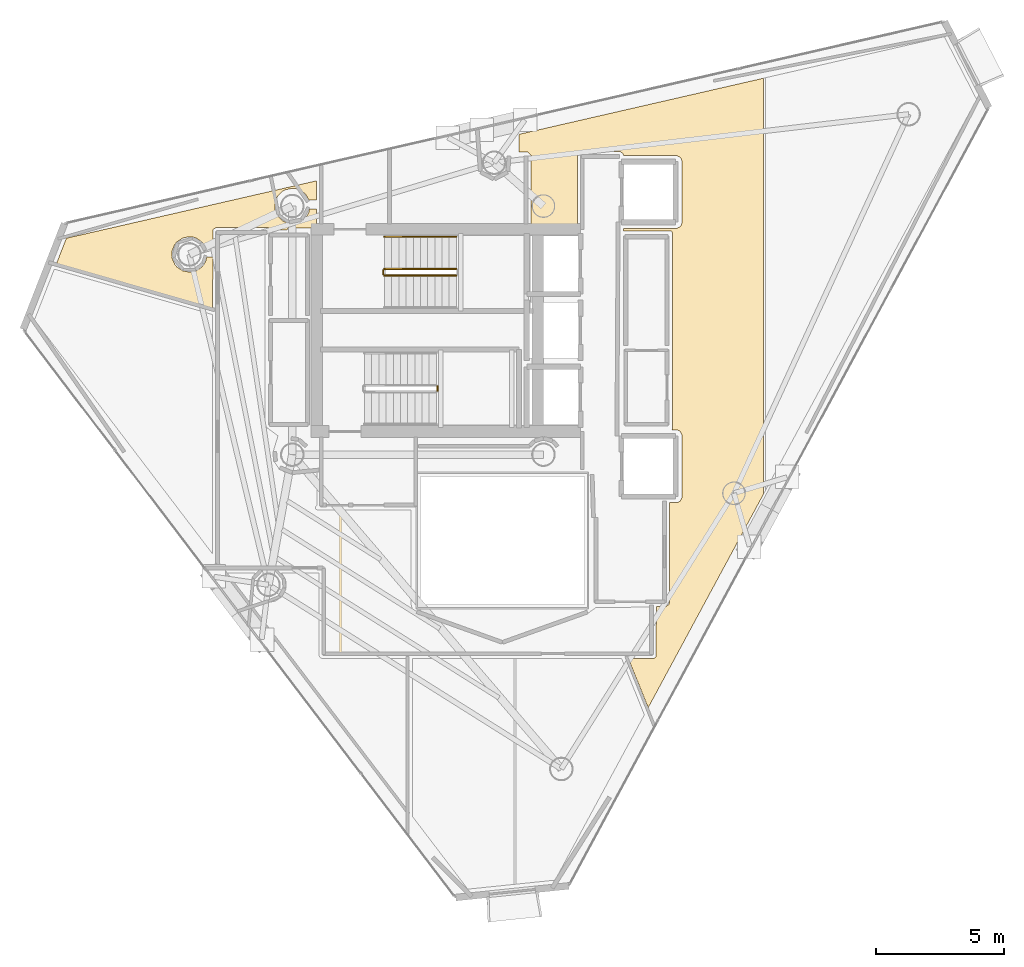
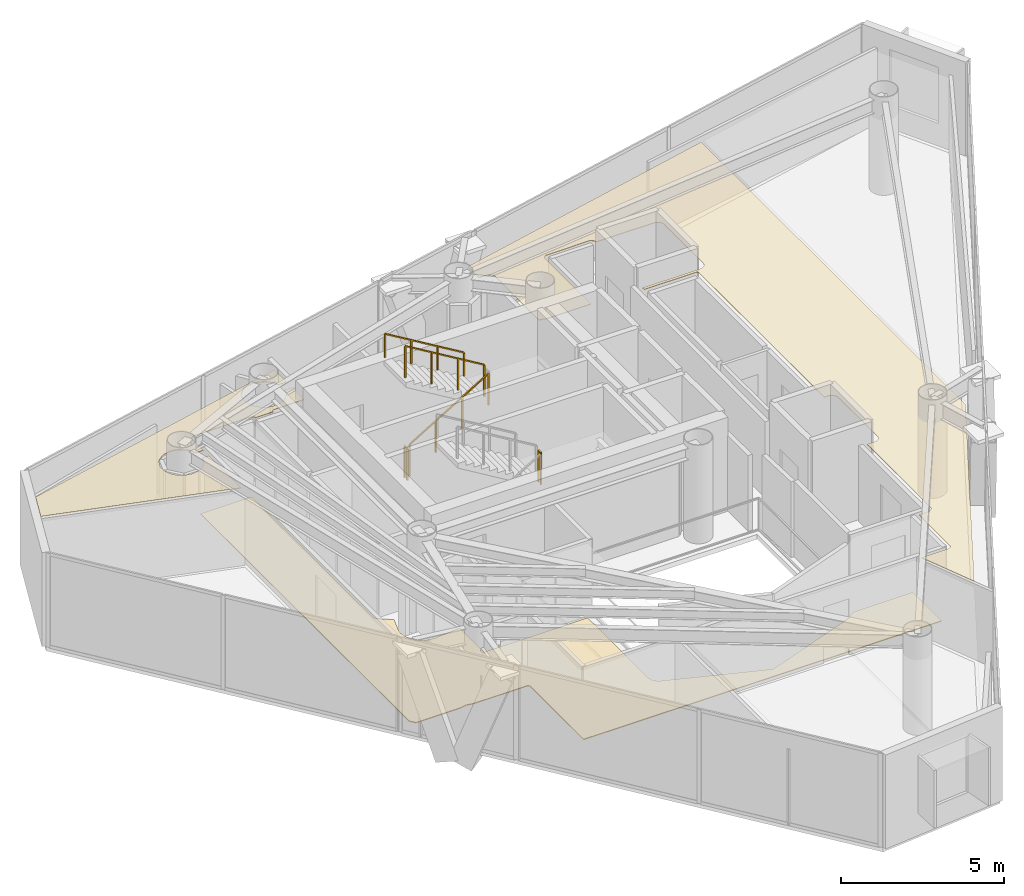
# One storey, part 23 of 24: 5 railings, 3 coverings.
"""IFC4 building model written with IfcOpenShell, lengths in metres."""

import ifcopenshell
import ifcopenshell.guid

model = None  # the IFC model being written
_history = None  # IfcOwnerHistory: only IFC2X3 demands one
_inside = {}  # id of a spatial element -> (the spatial element, [elements in it])
_under = {}  # id of a project, library or spatial element -> (it, [spatial elements below it])
_declared = {}  # id of a project -> (the project, [libraries it declares])
_typed = {}  # id of a type object -> (the type object, [elements of that type])
_made_of = {}  # id of a material, layer set ... -> (it, [elements and type objects made of it])


def new_model(schema):
    """Start an empty IFC model of exactly this schema.

    Asked for "IFC4X3", IfcOpenShell would pick the latest addendum, in which some entities
    have other attributes; the version numbers below select the first issue.
    IFC2X3 requires an IfcOwnerHistory on every rooted entity: one is made here for all.
    """
    global model, _history
    if schema == "IFC4X3":
        model = ifcopenshell.file(schema_version=(4, 3, 0, 0))
    else:
        model = ifcopenshell.file(schema=schema)
    _inside.clear()
    _under.clear()
    _declared.clear()
    _typed.clear()
    _made_of.clear()
    _history = None
    if model.schema == "IFC2X3":
        org = make("IfcOrganization", Name="unknown")
        user = make(
            "IfcPersonAndOrganization",
            ThePerson=make("IfcPerson", FamilyName="unknown"),
            TheOrganization=org,
        )
        app = make(
            "IfcApplication",
            ApplicationDeveloper=org,
            Version="unknown",
            ApplicationFullName="unknown",
            ApplicationIdentifier="unknown",
        )
        _history = make(
            "IfcOwnerHistory",
            OwningUser=user,
            OwningApplication=app,
            ChangeAction="ADDED",
            CreationDate=0,
        )
    return model


def make(cls, **values):
    """One entity of the class cls with the attributes given. An attribute that is None is left unset."""
    return model.create_entity(
        cls, **{name: value for name, value in values.items() if value is not None}
    )


def rooted(cls, **values):
    """An entity with a GlobalId (a new one), such as an element, a storey or a relation."""
    return make(cls, GlobalId=ifcopenshell.guid.new(), OwnerHistory=_history, **values)


def si_unit(unit_type, name, prefix=None):
    """IfcSIUnit, for example si_unit("LENGTHUNIT", "METRE", prefix="MILLI")."""
    return make("IfcSIUnit", UnitType=unit_type, Prefix=prefix, Name=name)


def assignment(units):
    """IfcUnitAssignment: the units of a project."""
    return None if units is None else make("IfcUnitAssignment", Units=units)


def point(xyz):
    """IfcCartesianPoint."""
    return None if xyz is None else make("IfcCartesianPoint", Coordinates=xyz)


def direction(xyz):
    """IfcDirection."""
    return None if xyz is None else make("IfcDirection", DirectionRatios=xyz)


def frame(location, z_axis=None, x_axis=None):
    """IfcAxis2Placement3D, a coordinate frame: its origin and axes. An axis left out is left unset."""
    return make(
        "IfcAxis2Placement3D",
        Location=point(location),
        Axis=direction(z_axis),
        RefDirection=direction(x_axis),
    )


def frame_2d(location, x_axis=None):
    """IfcAxis2Placement2D, a coordinate frame in the plane: its origin and x axis."""
    return make(
        "IfcAxis2Placement2D", Location=point(location), RefDirection=direction(x_axis)
    )


def origin():
    """The frame at (0, 0, 0) with its axes left unset."""
    return frame((0.0, 0.0, 0.0))


def origin_2d():
    """The frame at (0, 0) in the plane with its x axis left unset."""
    return frame_2d((0.0, 0.0))


def place(relative_to, where):
    """IfcLocalPlacement: puts the frame where relative to a parent placement (None: the world)."""
    return make(
        "IfcLocalPlacement", PlacementRelTo=relative_to, RelativePlacement=where
    )


def context(
    kind, dimensions, precision=None, world=None, true_north=None, identifier=None
):
    """IfcGeometricRepresentationContext, for example the 3D "Model" context."""
    return make(
        "IfcGeometricRepresentationContext",
        ContextIdentifier=identifier,
        ContextType=kind,
        CoordinateSpaceDimension=dimensions,
        Precision=precision,
        WorldCoordinateSystem=world,
        TrueNorth=true_north,
    )


def subcontext(parent, identifier, kind, view, scale=None):
    """IfcGeometricRepresentationSubContext, for example "Body" below "Model"."""
    return make(
        "IfcGeometricRepresentationSubContext",
        ContextIdentifier=identifier,
        ContextType=kind,
        ParentContext=parent,
        TargetScale=scale,
        TargetView=view,
    )


def project(units=None, contexts=None):
    """IfcProject with its units and contexts."""
    return rooted(
        "IfcProject",
        Name="project",
        RepresentationContexts=contexts,
        UnitsInContext=assignment(units),
    )


def spatial(cls, under=None, at=None, **own):
    """A site, building, storey or space (cls), placed at a placement, below another one or the project."""
    s = rooted(cls, ObjectPlacement=at, **own)
    if under is not None:
        _under.setdefault(under.id(), (under, []))[1].append(s)
    return s


def polyline(points):
    """IfcPolyline through the points."""
    return make("IfcPolyline", Points=[point(p) for p in points])


def profile(cls, at=None, kind="AREA", **sizes):
    """A parametric profile (cls). Its sizes go by their IFC names, for example OverallWidth=200.0."""
    return make(cls, ProfileType=kind, Position=at, **sizes)


def rectangle(**sizes):
    """IfcRectangleProfileDef."""
    return profile("IfcRectangleProfileDef", **sizes)


def outline(outer, holes=None, kind="AREA"):
    """IfcArbitraryClosedProfileDef: a profile drawn as a closed curve; with holes, ...WithVoids."""
    if holes is None:
        return make("IfcArbitraryClosedProfileDef", ProfileType=kind, OuterCurve=outer)
    return make(
        "IfcArbitraryProfileDefWithVoids",
        ProfileType=kind,
        OuterCurve=outer,
        InnerCurves=holes,
    )


def extrude(swept, where, along, depth):
    """IfcExtrudedAreaSolid: the profile swept, set in the frame where, extruded along a direction by depth."""
    return make(
        "IfcExtrudedAreaSolid",
        SweptArea=swept,
        Position=where,
        ExtrudedDirection=direction(along),
        Depth=depth,
    )


def shape(context_of_items, identifier, shape_type, items):
    """IfcShapeRepresentation: the items that make up one representation, for example the "Body"."""
    return make(
        "IfcShapeRepresentation",
        ContextOfItems=context_of_items,
        RepresentationIdentifier=identifier,
        RepresentationType=shape_type,
        Items=items,
    )


def material(Name=None, Category=None):
    """IfcMaterial."""
    return make("IfcMaterial", Name=Name, Category=Category)


def layer(
    of_material, thickness, ventilated=None, Name=None, Category=None, Priority=None
):
    """IfcMaterialLayer: one layer of a wall or slab, of a material (None: an air gap)."""
    return make(
        "IfcMaterialLayer",
        Material=of_material,
        LayerThickness=thickness,
        IsVentilated=ventilated,
        Name=Name,
        Category=Category,
        Priority=Priority,
    )


def layer_set(layers, Name=None):
    """IfcMaterialLayerSet."""
    return make("IfcMaterialLayerSet", MaterialLayers=layers, LayerSetName=Name)


def made_of(thing, what):
    """Note that an element or type object is made of a material, layer set ...; save() writes the relation."""
    if what is not None:
        _made_of.setdefault(what.id(), (what, []))[1].append(thing)
    return thing


def type_object(cls, material=None, **own):
    """A type object (cls), such as IfcWallType, which elements share."""
    return made_of(rooted(cls, **own), material)


def element(
    cls,
    number,
    at=None,
    inside=None,
    cuts=None,
    type_object=None,
    material=None,
    context=None,
    identifier="Body",
    shape_type=None,
    held_by="IfcProductDefinitionShape",
    body=None,
    shapes=None,
    **own,
):
    """One element of the class cls, such as IfcWall. Its Tag is "e" and its number.

    at: its placement. inside: the storey or other place that contains it. cuts: it is an
    opening in that element (IfcRelVoidsElement). A single representation is given by context,
    identifier, shape_type and body (its items); several are given by shapes. held_by: the class
    of the entity that holds the representations. save() writes the other relations.
    """
    e = rooted(cls, Tag="e%d" % number, ObjectPlacement=at, **own)
    if body is not None:
        shapes = [shape(context, identifier, shape_type, body)]
    if shapes is not None:
        e.Representation = make(held_by, Representations=shapes)
    if inside is not None:
        _inside.setdefault(inside.id(), (inside, []))[1].append(e)
    if cuts is not None:
        rooted(
            "IfcRelVoidsElement", RelatingBuildingElement=cuts, RelatedOpeningElement=e
        )
    if type_object is not None:
        _typed.setdefault(type_object.id(), (type_object, []))[1].append(e)
    return made_of(e, material)


def aggregate(whole, parts):
    """IfcRelAggregates: a whole, such as a stair, and the parts it consists of."""
    return rooted("IfcRelAggregates", RelatingObject=whole, RelatedObjects=parts)


def save(model, path):
    """Write the relations noted so far, then the file.

    IfcRelAggregates (storeys below a building ...), IfcRelContainedInSpatialStructure (elements
    in a storey), IfcRelDefinesByType, IfcRelAssociatesMaterial and IfcRelDeclares: one each for
    every whole, place, type object, material and project.
    """
    for whole, parts in _under.values():
        aggregate(whole, parts)
    for where, things in _inside.values():
        rooted(
            "IfcRelContainedInSpatialStructure",
            RelatedElements=things,
            RelatingStructure=where,
        )
    for kind, things in _typed.values():
        rooted("IfcRelDefinesByType", RelatedObjects=things, RelatingType=kind)
    for what, things in _made_of.values():
        rooted("IfcRelAssociatesMaterial", RelatedObjects=things, RelatingMaterial=what)
    for by, libraries in _declared.values():
        rooted("IfcRelDeclares", RelatingContext=by, RelatedDefinitions=libraries)
    model.write(path)


model = new_model("IFC4")

# Units and contexts
model_context = context("Model", 3, precision=1e-05, world=origin(), true_north=direction((0.0, 1.0)))
body_context = subcontext(model_context, "Body", "Model", "MODEL_VIEW")
ifc_project = project(units=[si_unit("LENGTHUNIT", "METRE"), si_unit("AREAUNIT", "SQUARE_METRE"), si_unit("VOLUMEUNIT", "CUBIC_METRE"), si_unit("PLANEANGLEUNIT", "RADIAN"), si_unit("MASSUNIT", "GRAM", prefix="KILO")], contexts=[model_context])

# Site, building, storey
site_placement = place(None, origin())
site = spatial("IfcSite", under=ifc_project, at=site_placement, CompositionType="ELEMENT")
building_placement = place(site_placement, origin())
building = spatial("IfcBuilding", under=site, at=building_placement, Name="Qianvela Tower", CompositionType="ELEMENT")
storey_placement = place(building_placement, frame((0.0, 0.0, 306.5)))
storey = spatial("IfcBuildingStorey", under=building, at=storey_placement, Name="L79", CompositionType="ELEMENT", Elevation=306.5)

# Coverings
ifc_material_1 = material(Name="Perforated Mineral Acoustic Ceiling Tile")
ifc_layer_1 = layer(ifc_material_1, 0.02490234375)
ifc_layer_set_1 = layer_set([ifc_layer_1], Name="Perforated Mineral Acoustic Ceiling Tile")
covering_type_1 = type_object("IfcCoveringType", Name="COV-CEIL-ACOUSTIC-25", PredefinedType="CEILING", material=ifc_layer_set_1)
covering_1_placement = place(storey_placement, frame((0.0, 0.0, 2.81494140625)))
element("IfcCovering", 1, at=covering_1_placement, inside=storey, type_object=covering_type_1, Name="L79 Acoustic Ceiling Bay 1 Tutorial Breakout Seminar L79-02", PredefinedType="CEILING", context=body_context, shape_type="SweptSolid", body=[
    extrude(outline(polyline([(43.423828125, 24.8193359375), (43.426513671875, 24.826904296875), (43.428466796875, 24.83447265625), (43.4296875, 24.84228515625), (43.429931640625, 24.85009765625), (43.429931640625, 32.5), (43.4296875, 32.5078125), (43.428466796875, 32.515625), (43.426513671875, 32.523193359375), (43.423828125, 32.530517578125), (43.420654296875, 32.53759765625), (43.41650390625, 32.54443359375), (43.411865234375, 32.55078125), (43.406494140625, 32.556640625), (43.40087890625, 32.561767578125), (43.394287109375, 32.56640625), (43.3876953125, 32.570556640625), (43.380615234375, 32.573974609375), (43.373291015625, 32.57666015625), (43.365478515625, 32.57861328125), (43.35791015625, 32.57958984375), (43.35009765625, 32.580078125), (41.52001953125, 32.580078125), (41.52001953125, 32.679931640625), (43.580078125, 32.679931640625), (43.587158203125, 32.680419921875), (43.593994140625, 32.68115234375), (43.60107421875, 32.682861328125), (43.607666015625, 32.684814453125), (43.6142578125, 32.687744140625), (43.722412109375, 32.739013671875), (43.729248046875, 32.74267578125), (43.73583984375, 32.746826171875), (43.741943359375, 32.751953125), (43.74755859375, 32.757568359375), (43.75244140625, 32.763427734375), (43.7568359375, 32.77001953125), (43.760498046875, 32.777099609375), (43.763427734375, 32.7841796875), (43.79541015625, 32.873046875), (43.7978515625, 32.8818359375), (43.799560546875, 32.890869140625), (43.800048828125, 32.89990234375), (43.800048828125, 35.300048828125), (43.799560546875, 35.307861328125), (43.798583984375, 35.315673828125), (43.796630859375, 35.3232421875), (43.77294921875, 35.40087890625), (43.770263671875, 35.408447265625), (43.76708984375, 35.41552734375), (43.762939453125, 35.422119140625), (43.75830078125, 35.428466796875), (43.7529296875, 35.434326171875), (43.747314453125, 35.439697265625), (43.740966796875, 35.4443359375), (43.734130859375, 35.4482421875), (43.61767578125, 35.510498046875), (43.610595703125, 35.513916015625), (43.603271484375, 35.5166015625), (43.595703125, 35.5185546875), (43.587890625, 35.51953125), (43.580078125, 35.52001953125), (41.515625, 35.52001953125), (41.513916015625, 35.554931640625), (41.512939453125, 35.562744140625), (41.511474609375, 35.5703125), (41.509033203125, 35.577880859375), (41.506103515625, 35.585205078125), (41.50244140625, 35.591796875), (41.498046875, 35.598388671875), (41.4931640625, 35.6044921875), (41.487548828125, 35.60986328125), (41.481689453125, 35.614990234375), (41.41552734375, 35.663818359375), (41.409423828125, 35.66796875), (41.40283203125, 35.67138671875), (41.396240234375, 35.67431640625), (41.38916015625, 35.6767578125), (41.382080078125, 35.67822265625), (41.374755859375, 35.67919921875), (41.367431640625, 35.6796875), (39.841796875, 35.670654296875), (39.83349609375, 35.670166015625), (39.825439453125, 35.668701171875), (39.817626953125, 35.666748046875), (39.81005859375, 35.663818359375), (39.802490234375, 35.659912109375), (39.795654296875, 35.655517578125), (39.789306640625, 35.650390625), (39.783447265625, 35.644775390625), (39.7783203125, 35.638427734375), (39.773681640625, 35.631591796875), (39.7314453125, 35.56103515625), (39.727294921875, 35.553466796875), (39.72412109375, 35.54541015625), (39.721923828125, 35.537109375), (39.720458984375, 35.528564453125), (39.719970703125, 35.52001953125), (39.719970703125, 32.719970703125), (38.129150390625, 32.719970703125), (38.068115234375, 32.756103515625), (38.060791015625, 32.760009765625), (38.052978515625, 32.76318359375), (38.044921875, 32.765380859375), (38.03662109375, 32.766845703125), (38.0283203125, 32.767333984375), (37.907470703125, 32.768798828125), (37.908447265625, 35.515625), (37.908203125, 35.52294921875), (37.906982421875, 35.5302734375), (37.905517578125, 35.53759765625), (37.903076171875, 35.544677734375), (37.89990234375, 35.551513671875), (37.896484375, 35.557861328125), (37.89208984375, 35.56396484375), (37.887451171875, 35.569580078125), (37.882080078125, 35.574951171875), (37.8115234375, 35.638916015625), (37.80517578125, 35.644287109375), (37.798095703125, 35.648681640625), (37.79052734375, 35.652587890625), (37.78271484375, 35.65576171875), (37.774658203125, 35.65771484375), (37.766357421875, 35.6591796875), (37.7578125, 35.65966796875), (37.44189453125, 35.659912109375), (37.44189453125, 36.3486328125), (46.988037109375, 38.539794921875), (46.988037109375, 22.315185546875), (42.48779296875, 13.980712890625), (41.71630859375, 15.889892578125), (42.64990234375, 15.889892578125), (42.65869140625, 15.890380859375), (42.66748046875, 15.891845703125), (42.676025390625, 15.894287109375), (42.68408203125, 15.897705078125), (42.74609375, 15.927001953125), (42.753173828125, 15.930908203125), (42.760009765625, 15.935302734375), (42.76611328125, 15.940673828125), (42.77197265625, 15.9462890625), (42.777099609375, 15.952880859375), (42.781494140625, 15.959716796875), (42.784912109375, 15.967041015625), (42.787841796875, 15.974609375), (42.7900390625, 15.982421875), (42.79150390625, 15.990478515625), (42.791748046875, 15.99853515625), (42.806640625, 17.920166015625), (43.157958984375, 17.92041015625), (43.166259765625, 17.9208984375), (43.174560546875, 17.922119140625), (43.1826171875, 17.92431640625), (43.1904296875, 17.927490234375), (43.197998046875, 17.93115234375), (43.205078125, 17.935791015625), (43.211669921875, 17.941162109375), (43.2822265625, 18.005126953125), (43.2880859375, 18.010986328125), (43.293212890625, 18.017578125), (43.2978515625, 18.0244140625), (43.301513671875, 18.031982421875), (43.3046875, 18.039794921875), (43.306640625, 18.0478515625), (43.30810546875, 18.055908203125), (43.30859375, 18.064453125), (43.309326171875, 21.980712890625), (43.60791015625, 21.982666015625), (43.615478515625, 21.983154296875), (43.623291015625, 21.984375), (43.630859375, 21.986083984375), (43.637939453125, 21.98876953125), (43.64501953125, 21.9921875), (43.716796875, 22.030517578125), (43.723388671875, 22.034423828125), (43.729736328125, 22.039306640625), (43.735595703125, 22.04443359375), (43.74072265625, 22.05029296875), (43.74560546875, 22.056640625), (43.74951171875, 22.063232421875), (43.787841796875, 22.135009765625), (43.791259765625, 22.14208984375), (43.7939453125, 22.1494140625), (43.7958984375, 22.156982421875), (43.796875, 22.164794921875), (43.79736328125, 22.172607421875), (43.79931640625, 24.61376953125), (43.799072265625, 24.62060546875), (43.798095703125, 24.627685546875), (43.79638671875, 24.634765625), (43.79443359375, 24.641357421875), (43.79150390625, 24.64794921875), (43.751220703125, 24.733154296875), (43.74755859375, 24.739990234375), (43.743408203125, 24.74658203125), (43.73828125, 24.752685546875), (43.732666015625, 24.75830078125), (43.726806640625, 24.76318359375), (43.72021484375, 24.767578125), (43.713134765625, 24.771240234375), (43.6279296875, 24.8115234375), (43.619873046875, 24.81494140625), (43.611328125, 24.8173828125), (43.6025390625, 24.81884765625), (43.59375, 24.8193359375), (43.423828125, 24.8193359375), (43.423828125, 24.8193359375)])), origin(), (0.0, 0.0, 1.0), 0.025146484375),
])
covering_2_placement = place(storey_placement, frame((0.0, 0.0, 2.81494140625)))
element("IfcCovering", 2, at=covering_2_placement, inside=storey, type_object=covering_type_1, Name="L79 Acoustic Ceiling Student Reading Library L79-03", PredefinedType="CEILING", context=body_context, shape_type="SweptSolid", body=[
    extrude(outline(polyline([(29.5400390625, 32.699951171875), (28.47998046875, 32.699951171875), (28.47216796875, 32.69970703125), (28.464111328125, 32.698486328125), (28.45654296875, 32.696533203125), (28.44921875, 32.69384765625), (28.44189453125, 32.690185546875), (28.43505859375, 32.686279296875), (28.4287109375, 32.681396484375), (28.4228515625, 32.676025390625), (28.417724609375, 32.670166015625), (28.4130859375, 32.663818359375), (28.408935546875, 32.656982421875), (28.40576171875, 32.649658203125), (28.403076171875, 32.64208984375), (28.4013671875, 32.634521484375), (28.400390625, 32.62646484375), (28.39892578125, 32.609619140625), (27.7626953125, 32.607666015625), (27.759521484375, 32.6201171875), (27.757080078125, 32.62744140625), (27.754150390625, 32.634765625), (27.75048828125, 32.6416015625), (27.74609375, 32.648193359375), (27.7412109375, 32.654296875), (27.735595703125, 32.659912109375), (27.7294921875, 32.6650390625), (27.722900390625, 32.66943359375), (27.716064453125, 32.673095703125), (27.654296875, 32.702392578125), (27.647705078125, 32.705078125), (27.64111328125, 32.707275390625), (27.634033203125, 32.708740234375), (27.627197265625, 32.709716796875), (27.6201171875, 32.7099609375), (25.64990234375, 32.7099609375), (25.642822265625, 32.709716796875), (25.635986328125, 32.708740234375), (25.62890625, 32.707275390625), (25.622314453125, 32.705078125), (25.61572265625, 32.702392578125), (25.553955078125, 32.673095703125), (25.546875, 32.669189453125), (25.5400390625, 32.66455078125), (25.53369140625, 32.659423828125), (25.528076171875, 32.653564453125), (25.52294921875, 32.647216796875), (25.5185546875, 32.64013671875), (25.514892578125, 32.633056640625), (25.511962890625, 32.625244140625), (25.510009765625, 32.617431640625), (25.508544921875, 32.609375), (25.50830078125, 32.601318359375), (25.504150390625, 31.894775390625), (25.22802734375, 31.89404296875), (25.16748046875, 32.03369140625), (25.164306640625, 32.040283203125), (25.160400390625, 32.046630859375), (25.156005859375, 32.052490234375), (25.080078125, 32.14501953125), (25.074951171875, 32.15087890625), (25.069091796875, 32.15625), (25.062744140625, 32.160888671875), (24.864990234375, 32.293212890625), (24.858154296875, 32.297119140625), (24.85107421875, 32.300537109375), (24.84375, 32.302978515625), (24.729248046875, 32.337890625), (24.7216796875, 32.339599609375), (24.7138671875, 32.3408203125), (24.5947265625, 32.3525390625), (24.5869140625, 32.35302734375), (24.5791015625, 32.3525390625), (24.5712890625, 32.3515625), (24.337890625, 32.304931640625), (24.330322265625, 32.302978515625), (24.322998046875, 32.300537109375), (24.31591796875, 32.297119140625), (24.30908203125, 32.293212890625), (24.111083984375, 32.160888671875), (24.10498046875, 32.15625), (24.09912109375, 32.15087890625), (24.09375, 32.14501953125), (24.01806640625, 32.052490234375), (24.01318359375, 32.04638671875), (24.00927734375, 32.03955078125), (24.005859375, 32.032470703125), (23.914794921875, 31.8125), (23.912109375, 31.80517578125), (23.910400390625, 31.797607421875), (23.9091796875, 31.789794921875), (23.90869140625, 31.781982421875), (23.90869140625, 31.5439453125), (23.9091796875, 31.5361328125), (23.910400390625, 31.5283203125), (23.912109375, 31.520751953125), (23.914794921875, 31.513427734375), (24.005859375, 31.29345703125), (24.00927734375, 31.286376953125), (24.01318359375, 31.27978515625), (24.01806640625, 31.2734375), (24.09375, 31.180908203125), (24.09912109375, 31.175048828125), (24.10498046875, 31.169921875), (24.111083984375, 31.1650390625), (24.30908203125, 31.032958984375), (24.31591796875, 31.02880859375), (24.322998046875, 31.025390625), (24.330322265625, 31.02294921875), (24.337890625, 31.02099609375), (24.5712890625, 30.974609375), (24.5791015625, 30.973388671875), (24.5869140625, 30.972900390625), (24.5947265625, 30.973388671875), (24.6025390625, 30.974609375), (24.8359375, 31.02099609375), (24.84375, 31.02294921875), (24.85107421875, 31.025390625), (24.858154296875, 31.02880859375), (24.864990234375, 31.032958984375), (25.062744140625, 31.1650390625), (25.069091796875, 31.169921875), (25.074951171875, 31.175048828125), (25.080078125, 31.180908203125), (25.156005859375, 31.2734375), (25.16064453125, 31.27978515625), (25.164794921875, 31.286376953125), (25.22119140625, 31.391845703125), (25.224365234375, 31.398681640625), (25.226806640625, 31.405517578125), (25.228759765625, 31.412841796875), (25.2587890625, 31.55419921875), (25.502197265625, 31.5546875), (25.490478515625, 29.570556640625), (19.40380859375, 31.31591796875), (19.786865234375, 32.29638671875), (29.5400390625, 34.534912109375), (29.5400390625, 33.781982421875), (29.2412109375, 33.781005859375), (29.1806640625, 33.920654296875), (29.17724609375, 33.927490234375), (29.173583984375, 33.93359375), (29.1689453125, 33.939697265625), (29.09326171875, 34.031982421875), (29.087890625, 34.037841796875), (29.08203125, 34.043212890625), (28.989501953125, 34.118896484375), (28.9833984375, 34.123779296875), (28.9765625, 34.127685546875), (28.969482421875, 34.131103515625), (28.74951171875, 34.22216796875), (28.7421875, 34.224853515625), (28.734619140625, 34.226806640625), (28.726806640625, 34.227783203125), (28.60791015625, 34.239501953125), (28.60009765625, 34.239990234375), (28.59228515625, 34.239501953125), (28.58447265625, 34.238525390625), (28.35107421875, 34.19189453125), (28.34326171875, 34.190185546875), (28.3359375, 34.1875), (28.328857421875, 34.18408203125), (28.223388671875, 34.127685546875), (28.216796875, 34.123779296875), (28.21044921875, 34.118896484375), (28.20458984375, 34.11376953125), (28.0361328125, 33.945556640625), (28.031005859375, 33.939697265625), (28.0263671875, 33.933349609375), (28.022216796875, 33.926513671875), (28.018798828125, 33.91943359375), (27.927734375, 33.69970703125), (27.92529296875, 33.692138671875), (27.92333984375, 33.6845703125), (27.922119140625, 33.6767578125), (27.921630859375, 33.6689453125), (27.921630859375, 33.430908203125), (27.922119140625, 33.423095703125), (27.92333984375, 33.415283203125), (27.92529296875, 33.40771484375), (27.9599609375, 33.293212890625), (27.96240234375, 33.285888671875), (27.9658203125, 33.27880859375), (28.022216796875, 33.17333984375), (28.0263671875, 33.166748046875), (28.031005859375, 33.160400390625), (28.0361328125, 33.154541015625), (28.20458984375, 32.986083984375), (28.21044921875, 32.98095703125), (28.216796875, 32.976318359375), (28.223388671875, 32.97216796875), (28.23046875, 32.968994140625), (28.450439453125, 32.877685546875), (28.457763671875, 32.875244140625), (28.46533203125, 32.873291015625), (28.47314453125, 32.8720703125), (28.48095703125, 32.87158203125), (28.718994140625, 32.87158203125), (28.726806640625, 32.8720703125), (28.734619140625, 32.873291015625), (28.7421875, 32.875244140625), (28.74951171875, 32.877685546875), (28.969482421875, 32.968994140625), (28.9765625, 32.97216796875), (28.9833984375, 32.976318359375), (28.989501953125, 32.98095703125), (28.99560546875, 32.986083984375), (29.163818359375, 33.154541015625), (29.1689453125, 33.160400390625), (29.173583984375, 33.166748046875), (29.177734375, 33.17333984375), (29.234130859375, 33.27880859375), (29.2373046875, 33.28564453125), (29.239990234375, 33.29248046875), (29.24169921875, 33.2998046875), (29.27197265625, 33.441162109375), (29.5400390625, 33.44189453125), (29.5400390625, 32.699951171875)])), origin(), (0.0, 0.0, 1.0), 0.025146484375),
])
ifc_material_2 = material(Name="Honed Stone Terrazzo Flooring", Category="masonry")
ifc_layer_2 = layer(ifc_material_2, 0.030029296875)
ifc_layer_set_2 = layer_set([ifc_layer_2], Name="Honed Stone Terrazzo Flooring")
covering_type_2 = type_object("IfcCoveringType", Name="COV-FLOOR-TERRAZZO-30", PredefinedType="FLOORING", material=ifc_layer_set_2)
covering_3_placement = place(storey_placement, origin())
element("IfcCovering", 3, at=covering_3_placement, inside=storey, type_object=covering_type_2, Name="L79 Finish Flooring L79 Floor Corridor", PredefinedType="FLOORING", context=body_context, shape_type="SweptSolid", body=[
    extrude(outline(polyline([(25.72998046875, 32.469970703125), (27.5400390625, 32.469970703125), (27.5400390625, 25.04638671875), (27.540283203125, 25.038818359375), (27.54150390625, 25.03125), (27.543212890625, 25.023681640625), (27.545654296875, 25.0166015625), (27.548828125, 25.009765625), (27.552734375, 25.003173828125), (27.61328125, 24.90869140625), (27.61767578125, 24.90283203125), (27.622314453125, 24.8974609375), (27.62744140625, 24.892333984375), (27.633056640625, 24.8876953125), (28.042236328125, 24.584228515625), (27.8662109375, 24.00390625), (27.864501953125, 23.996337890625), (27.86328125, 23.988525390625), (27.850341796875, 23.85791015625), (27.85009765625, 23.85009765625), (27.850341796875, 23.84228515625), (27.8515625, 23.83447265625), (27.902587890625, 23.577880859375), (27.904296875, 23.5703125), (27.906982421875, 23.56298828125), (27.910400390625, 23.555908203125), (27.91455078125, 23.54931640625), (28.059814453125, 23.331787109375), (28.064453125, 23.325439453125), (28.069580078125, 23.319580078125), (28.075439453125, 23.314453125), (28.081787109375, 23.309814453125), (28.29931640625, 23.16455078125), (28.305908203125, 23.160400390625), (28.31298828125, 23.156982421875), (28.3203125, 23.154296875), (28.327880859375, 23.152587890625), (28.58447265625, 23.1015625), (28.59228515625, 23.100341796875), (28.60009765625, 23.10009765625), (28.60791015625, 23.100341796875), (29.55810546875, 23.194091796875), (29.55810546875, 21.877685546875), (29.52001953125, 21.82958984375), (29.515380859375, 21.822998046875), (29.51171875, 21.81640625), (29.508544921875, 21.809326171875), (29.506103515625, 21.802001953125), (29.504150390625, 21.794189453125), (29.503173828125, 21.78662109375), (29.5029296875, 21.77880859375), (29.50341796875, 21.77099609375), (29.504638671875, 21.763427734375), (29.506591796875, 21.755859375), (29.50927734375, 21.74853515625), (29.5126953125, 21.74169921875), (29.516845703125, 21.735107421875), (29.521484375, 21.728759765625), (29.52685546875, 21.722900390625), (29.53271484375, 21.7177734375), (29.538818359375, 21.713134765625), (29.54541015625, 21.709228515625), (29.552490234375, 21.7060546875), (29.559814453125, 21.703369140625), (29.5673828125, 21.701416015625), (29.5751953125, 21.700439453125), (29.5830078125, 21.699951171875), (33.239990234375, 21.699951171875), (33.239990234375, 18.0), (33.240478515625, 17.990234375), (33.242431640625, 17.980712890625), (33.275390625, 17.8486328125), (33.277587890625, 17.841796875), (33.2802734375, 17.8349609375), (33.283447265625, 17.82861328125), (33.287353515625, 17.822509765625), (33.29150390625, 17.81689453125), (33.29638671875, 17.811279296875), (33.411376953125, 17.696533203125), (33.41796875, 17.690673828125), (33.42529296875, 17.685546875), (33.432861328125, 17.68115234375), (33.44091796875, 17.677734375), (36.77294921875, 16.482666015625), (36.780517578125, 16.48046875), (36.7880859375, 16.47900390625), (36.7958984375, 16.47802734375), (36.803955078125, 16.47802734375), (36.811767578125, 16.47900390625), (36.8193359375, 16.48046875), (36.826904296875, 16.482666015625), (40.134033203125, 17.666015625), (40.140869140625, 17.668701171875), (40.1474609375, 17.672119140625), (40.153564453125, 17.676025390625), (40.458740234375, 17.89306640625), (42.570068359375, 17.899658203125), (42.570068359375, 16.1298828125), (29.8798828125, 16.1298828125), (29.8798828125, 19.39990234375), (29.879638671875, 19.40771484375), (29.87841796875, 19.41552734375), (29.876708984375, 19.423095703125), (29.873779296875, 19.4306640625), (29.87060546875, 19.437744140625), (29.866455078125, 19.4443359375), (29.86181640625, 19.45068359375), (29.856689453125, 19.45654296875), (29.850830078125, 19.4619140625), (29.844482421875, 19.466552734375), (29.837646484375, 19.470703125), (29.83056640625, 19.473876953125), (29.8232421875, 19.4765625), (29.815673828125, 19.478515625), (29.807861328125, 19.4794921875), (29.800048828125, 19.47998046875), (27.910888671875, 19.47998046875), (27.684814453125, 19.522705078125), (27.677490234375, 19.523681640625), (27.669921875, 19.52392578125), (27.66259765625, 19.523681640625), (27.6552734375, 19.522705078125), (27.42919921875, 19.47998046875), (25.869873046875, 19.47998046875), (25.72998046875, 19.663818359375), (25.72998046875, 32.469970703125)])), origin(), (0.0, 0.0, 1.0), 0.030029296875),
])

# Railings
ifc_material_3 = material(Name="Painted Tubular Steel Q355B", Category="steel")
railing_type_1 = type_object("IfcRailingType", Name="RL-STAIR-GUARD-1200", PredefinedType="GUARDRAIL", material=ifc_material_3)
railing_1_placement = place(storey_placement, frame((32.199951171875, 30.840087890625, 0.168212890625)))
element("IfcRailing", 4, at=railing_1_placement, inside=storey, type_object=railing_type_1, Name="L79 ST-1 stair guard 1", PredefinedType="GUARDRAIL", context=body_context, shape_type="SweptSolid", body=[
    extrude(rectangle(XDim=0.050048828125, YDim=0.0400390625, at=origin_2d()), frame((0.0, 0.0, 1.179931640625), z_axis=(0.857242210791, 0.0, 0.514913383045), x_axis=(0.0, 1.0, 0.0)), (0.0, 0.0, 1.0), 3.266357421875),
    extrude(rectangle(XDim=0.050048828125, YDim=0.050048828125, at=origin_2d()), origin(), (0.0, 0.0, 1.0), 1.159912109375),
    extrude(rectangle(XDim=0.050048828125, YDim=0.050048828125, at=origin_2d()), frame((0.933349609375, 0.0, 0.560546875)), (0.0, 0.0, 1.0), 1.159912109375),
    extrude(rectangle(XDim=0.050048828125, YDim=0.050048828125, at=origin_2d()), frame((1.86669921875, 0.0, 1.121337890625)), (0.0, 0.0, 1.0), 1.159912109375),
    extrude(rectangle(XDim=0.050048828125, YDim=0.050048828125, at=origin_2d()), frame((2.800048828125, 0.0, 1.681884765625)), (0.0, 0.0, 1.0), 1.159912109375),
])
railing_2_placement = place(storey_placement, frame((35.0, 31.10009765625, 2.01806640625)))
element("IfcRailing", 5, at=railing_2_placement, inside=storey, type_object=railing_type_1, Name="L79 ST-1 stair guard 3", PredefinedType="GUARDRAIL", context=body_context, shape_type="SweptSolid", body=[
    extrude(rectangle(XDim=0.050048828125, YDim=0.0400390625, at=origin_2d()), frame((0.0, 0.0, 1.179931640625), z_axis=(-0.857242210791, 0.0, 0.514913383045), x_axis=(0.0, -1.0, 0.0)), (0.0, 0.0, 1.0), 3.266357421875),
    extrude(rectangle(XDim=0.050048828125, YDim=0.050048828125, at=origin_2d()), origin(), (0.0, 0.0, 1.0), 1.159912109375),
    extrude(rectangle(XDim=0.050048828125, YDim=0.050048828125, at=origin_2d()), frame((-0.933349609375, 0.0, 0.560546875)), (0.0, 0.0, 1.0), 1.159912109375),
    extrude(rectangle(XDim=0.050048828125, YDim=0.050048828125, at=origin_2d()), frame((-1.86669921875, 0.0, 1.121337890625)), (0.0, 0.0, 1.0), 1.159912109375),
    extrude(rectangle(XDim=0.050048828125, YDim=0.050048828125, at=origin_2d()), frame((-2.800048828125, 0.0, 1.681884765625)), (0.0, 0.0, 1.0), 1.159912109375),
])
railing_3_placement = place(storey_placement, frame((32.14990234375, 30.889892578125, 0.0)))
element("IfcRailing", 6, at=railing_3_placement, inside=storey, type_object=railing_type_1, Name="L79 ST-1 stair guard 4", PredefinedType="GUARDRAIL", context=body_context, shape_type="SweptSolid", body=[
    extrude(rectangle(XDim=0.050048828125, YDim=0.0400390625, at=origin_2d()), frame((0.0, 0.0, 1.179931640625), z_axis=(0.0, 1.0, 0.0), x_axis=(-1.0, 0.0, 0.0)), (0.0, 0.0, 1.0), 0.16015625),
    extrude(rectangle(XDim=0.050048828125, YDim=0.050048828125, at=origin_2d()), origin(), (0.0, 0.0, 1.0), 1.159912109375),
    extrude(rectangle(XDim=0.050048828125, YDim=0.050048828125, at=origin_2d()), frame((0.0, 0.16015625, 0.0)), (0.0, 0.0, 1.0), 1.159912109375),
])
railing_4_placement = place(storey_placement, frame((34.27001953125, 26.35009765625, 1.85009765625)))
element("IfcRailing", 7, at=railing_4_placement, inside=storey, type_object=railing_type_1, Name="L79 ST-2 stair guard 2", PredefinedType="GUARDRAIL", context=body_context, shape_type="SweptSolid", body=[
    extrude(rectangle(XDim=0.050048828125, YDim=0.0400390625, at=origin_2d()), frame((0.0, 0.0, 1.179931640625), z_axis=(0.0, 1.0, 0.0), x_axis=(-1.0, 0.0, 0.0)), (0.0, 0.0, 1.0), 0.159912109375),
    extrude(rectangle(XDim=0.050048828125, YDim=0.050048828125, at=origin_2d()), origin(), (0.0, 0.0, 1.0), 1.159912109375),
    extrude(rectangle(XDim=0.050048828125, YDim=0.050048828125, at=origin_2d()), frame((0.0, 0.159912109375, 0.0)), (0.0, 0.0, 1.0), 1.159912109375),
])
ifc_material_4 = material(Name="Brushed Stainless Steel 304", Category="steel")
railing_type_2 = type_object("IfcRailingType", Name="RL-STAIR-HANDRAIL-900", PredefinedType="HANDRAIL", material=ifc_material_4)
railing_5_placement = place(storey_placement, frame((35.0, 32.35009765625, 2.01806640625)))
element("IfcRailing", 8, at=railing_5_placement, inside=storey, type_object=railing_type_2, Name="L79 ST-1 stair handrail 2", PredefinedType="HANDRAIL", context=body_context, shape_type="SweptSolid", body=[
    extrude(rectangle(XDim=0.050048828125, YDim=0.0400390625, at=origin_2d()), frame((0.0, 0.0, 0.8798828125), z_axis=(-0.857242210791, 0.0, 0.514913383045), x_axis=(0.0, -1.0, 0.0)), (0.0, 0.0, 1.0), 3.266357421875),
    extrude(rectangle(XDim=0.050048828125, YDim=0.050048828125, at=origin_2d()), origin(), (0.0, 0.0, 1.0), 0.85986328125),
    extrude(rectangle(XDim=0.050048828125, YDim=0.050048828125, at=origin_2d()), frame((-0.933349609375, 0.0, 0.560546875)), (0.0, 0.0, 1.0), 0.85986328125),
    extrude(rectangle(XDim=0.050048828125, YDim=0.050048828125, at=origin_2d()), frame((-1.86669921875, 0.0, 1.121337890625)), (0.0, 0.0, 1.0), 0.85986328125),
    extrude(rectangle(XDim=0.050048828125, YDim=0.050048828125, at=origin_2d()), frame((-2.800048828125, 0.0, 1.681884765625)), (0.0, 0.0, 1.0), 0.85986328125),
])

save(model, "model.ifc")
